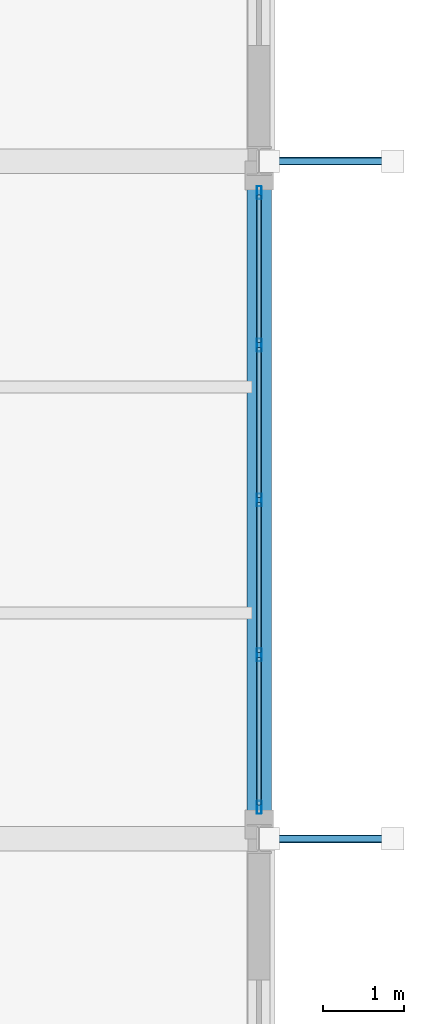
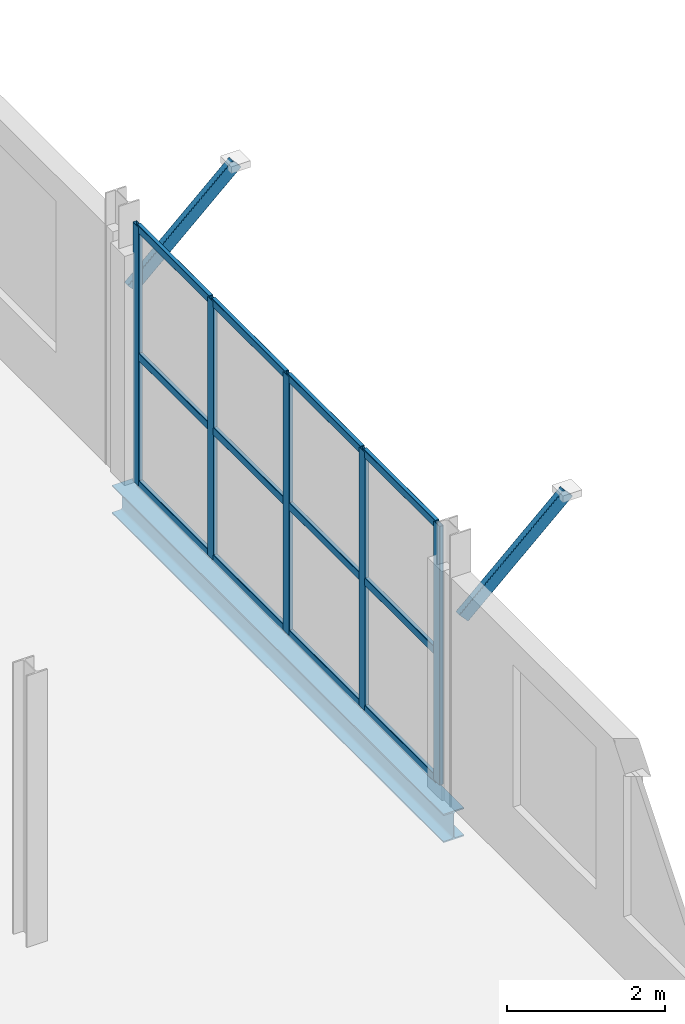
# One storey, part 13 of 25: 19 members, 1 beam, 1 element without a shape of its own.
"""IFC4 building model written with IfcOpenShell, lengths in metres."""

import ifcopenshell
import ifcopenshell.guid

model = None  # the IFC model being written
_history = None  # IfcOwnerHistory: only IFC2X3 demands one
_inside = {}  # id of a spatial element -> (the spatial element, [elements in it])
_under = {}  # id of a project, library or spatial element -> (it, [spatial elements below it])
_declared = {}  # id of a project -> (the project, [libraries it declares])
_typed = {}  # id of a type object -> (the type object, [elements of that type])
_made_of = {}  # id of a material, layer set ... -> (it, [elements and type objects made of it])


def new_model(schema):
    """Start an empty IFC model of exactly this schema.

    Asked for "IFC4X3", IfcOpenShell would pick the latest addendum, in which some entities
    have other attributes; the version numbers below select the first issue.
    IFC2X3 requires an IfcOwnerHistory on every rooted entity: one is made here for all.
    """
    global model, _history
    if schema == "IFC4X3":
        model = ifcopenshell.file(schema_version=(4, 3, 0, 0))
    else:
        model = ifcopenshell.file(schema=schema)
    _inside.clear()
    _under.clear()
    _declared.clear()
    _typed.clear()
    _made_of.clear()
    _history = None
    if model.schema == "IFC2X3":
        org = make("IfcOrganization", Name="unknown")
        user = make(
            "IfcPersonAndOrganization",
            ThePerson=make("IfcPerson", FamilyName="unknown"),
            TheOrganization=org,
        )
        app = make(
            "IfcApplication",
            ApplicationDeveloper=org,
            Version="unknown",
            ApplicationFullName="unknown",
            ApplicationIdentifier="unknown",
        )
        _history = make(
            "IfcOwnerHistory",
            OwningUser=user,
            OwningApplication=app,
            ChangeAction="ADDED",
            CreationDate=0,
        )
    return model


def make(cls, **values):
    """One entity of the class cls with the attributes given. An attribute that is None is left unset."""
    return model.create_entity(
        cls, **{name: value for name, value in values.items() if value is not None}
    )


def rooted(cls, **values):
    """An entity with a GlobalId (a new one), such as an element, a storey or a relation."""
    return make(cls, GlobalId=ifcopenshell.guid.new(), OwnerHistory=_history, **values)


def si_unit(unit_type, name, prefix=None):
    """IfcSIUnit, for example si_unit("LENGTHUNIT", "METRE", prefix="MILLI")."""
    return make("IfcSIUnit", UnitType=unit_type, Prefix=prefix, Name=name)


def assignment(units):
    """IfcUnitAssignment: the units of a project."""
    return None if units is None else make("IfcUnitAssignment", Units=units)


def point(xyz):
    """IfcCartesianPoint."""
    return None if xyz is None else make("IfcCartesianPoint", Coordinates=xyz)


def direction(xyz):
    """IfcDirection."""
    return None if xyz is None else make("IfcDirection", DirectionRatios=xyz)


def frame(location, z_axis=None, x_axis=None):
    """IfcAxis2Placement3D, a coordinate frame: its origin and axes. An axis left out is left unset."""
    return make(
        "IfcAxis2Placement3D",
        Location=point(location),
        Axis=direction(z_axis),
        RefDirection=direction(x_axis),
    )


def frame_2d(location, x_axis=None):
    """IfcAxis2Placement2D, a coordinate frame in the plane: its origin and x axis."""
    return make(
        "IfcAxis2Placement2D", Location=point(location), RefDirection=direction(x_axis)
    )


def origin():
    """The frame at (0, 0, 0) with its axes left unset."""
    return frame((0.0, 0.0, 0.0))


def origin_2d():
    """The frame at (0, 0) in the plane with its x axis left unset."""
    return frame_2d((0.0, 0.0))


def place(relative_to, where):
    """IfcLocalPlacement: puts the frame where relative to a parent placement (None: the world)."""
    return make(
        "IfcLocalPlacement", PlacementRelTo=relative_to, RelativePlacement=where
    )


def context(
    kind, dimensions, precision=None, world=None, true_north=None, identifier=None
):
    """IfcGeometricRepresentationContext, for example the 3D "Model" context."""
    return make(
        "IfcGeometricRepresentationContext",
        ContextIdentifier=identifier,
        ContextType=kind,
        CoordinateSpaceDimension=dimensions,
        Precision=precision,
        WorldCoordinateSystem=world,
        TrueNorth=true_north,
    )


def subcontext(parent, identifier, kind, view, scale=None):
    """IfcGeometricRepresentationSubContext, for example "Body" below "Model"."""
    return make(
        "IfcGeometricRepresentationSubContext",
        ContextIdentifier=identifier,
        ContextType=kind,
        ParentContext=parent,
        TargetScale=scale,
        TargetView=view,
    )


def project(units=None, contexts=None):
    """IfcProject with its units and contexts."""
    return rooted(
        "IfcProject",
        Name="project",
        RepresentationContexts=contexts,
        UnitsInContext=assignment(units),
    )


def spatial(cls, under=None, at=None, **own):
    """A site, building, storey or space (cls), placed at a placement, below another one or the project."""
    s = rooted(cls, ObjectPlacement=at, **own)
    if under is not None:
        _under.setdefault(under.id(), (under, []))[1].append(s)
    return s


def profile(cls, at=None, kind="AREA", **sizes):
    """A parametric profile (cls). Its sizes go by their IFC names, for example OverallWidth=200.0."""
    return make(cls, ProfileType=kind, Position=at, **sizes)


def hollow_rectangle(**sizes):
    """IfcRectangleHollowProfileDef."""
    return profile("IfcRectangleHollowProfileDef", **sizes)


def i_section(**sizes):
    """IfcIShapeProfileDef."""
    return profile("IfcIShapeProfileDef", **sizes)


def extrude(swept, where, along, depth):
    """IfcExtrudedAreaSolid: the profile swept, set in the frame where, extruded along a direction by depth."""
    return make(
        "IfcExtrudedAreaSolid",
        SweptArea=swept,
        Position=where,
        ExtrudedDirection=direction(along),
        Depth=depth,
    )


def shape(context_of_items, identifier, shape_type, items):
    """IfcShapeRepresentation: the items that make up one representation, for example the "Body"."""
    return make(
        "IfcShapeRepresentation",
        ContextOfItems=context_of_items,
        RepresentationIdentifier=identifier,
        RepresentationType=shape_type,
        Items=items,
    )


def material(Name=None, Category=None):
    """IfcMaterial."""
    return make("IfcMaterial", Name=Name, Category=Category)


def layer(
    of_material, thickness, ventilated=None, Name=None, Category=None, Priority=None
):
    """IfcMaterialLayer: one layer of a wall or slab, of a material (None: an air gap)."""
    return make(
        "IfcMaterialLayer",
        Material=of_material,
        LayerThickness=thickness,
        IsVentilated=ventilated,
        Name=Name,
        Category=Category,
        Priority=Priority,
    )


def layer_set(layers, Name=None):
    """IfcMaterialLayerSet."""
    return make("IfcMaterialLayerSet", MaterialLayers=layers, LayerSetName=Name)


def material_profile(
    of_material, cross_section, Name=None, Category=None, Priority=None
):
    """IfcMaterialProfile: a cross section and its material."""
    return make(
        "IfcMaterialProfile",
        Name=Name,
        Material=of_material,
        Profile=cross_section,
        Priority=Priority,
        Category=Category,
    )


def profile_set(profiles, Name=None, composite=None):
    """IfcMaterialProfileSet."""
    return make(
        "IfcMaterialProfileSet",
        Name=Name,
        MaterialProfiles=profiles,
        CompositeProfile=composite,
    )


def made_of(thing, what):
    """Note that an element or type object is made of a material, layer set ...; save() writes the relation."""
    if what is not None:
        _made_of.setdefault(what.id(), (what, []))[1].append(thing)
    return thing


def type_object(cls, material=None, **own):
    """A type object (cls), such as IfcWallType, which elements share."""
    return made_of(rooted(cls, **own), material)


def element(
    cls,
    number,
    at=None,
    inside=None,
    cuts=None,
    type_object=None,
    material=None,
    context=None,
    identifier="Body",
    shape_type=None,
    held_by="IfcProductDefinitionShape",
    body=None,
    shapes=None,
    **own,
):
    """One element of the class cls, such as IfcWall. Its Tag is "e" and its number.

    at: its placement. inside: the storey or other place that contains it. cuts: it is an
    opening in that element (IfcRelVoidsElement). A single representation is given by context,
    identifier, shape_type and body (its items); several are given by shapes. held_by: the class
    of the entity that holds the representations. save() writes the other relations.
    """
    e = rooted(cls, Tag="e%d" % number, ObjectPlacement=at, **own)
    if body is not None:
        shapes = [shape(context, identifier, shape_type, body)]
    if shapes is not None:
        e.Representation = make(held_by, Representations=shapes)
    if inside is not None:
        _inside.setdefault(inside.id(), (inside, []))[1].append(e)
    if cuts is not None:
        rooted(
            "IfcRelVoidsElement", RelatingBuildingElement=cuts, RelatedOpeningElement=e
        )
    if type_object is not None:
        _typed.setdefault(type_object.id(), (type_object, []))[1].append(e)
    return made_of(e, material)


def aggregate(whole, parts):
    """IfcRelAggregates: a whole, such as a stair, and the parts it consists of."""
    return rooted("IfcRelAggregates", RelatingObject=whole, RelatedObjects=parts)


def save(model, path):
    """Write the relations noted so far, then the file.

    IfcRelAggregates (storeys below a building ...), IfcRelContainedInSpatialStructure (elements
    in a storey), IfcRelDefinesByType, IfcRelAssociatesMaterial and IfcRelDeclares: one each for
    every whole, place, type object, material and project.
    """
    for whole, parts in _under.values():
        aggregate(whole, parts)
    for where, things in _inside.values():
        rooted(
            "IfcRelContainedInSpatialStructure",
            RelatedElements=things,
            RelatingStructure=where,
        )
    for kind, things in _typed.values():
        rooted("IfcRelDefinesByType", RelatedObjects=things, RelatingType=kind)
    for what, things in _made_of.values():
        rooted("IfcRelAssociatesMaterial", RelatedObjects=things, RelatingMaterial=what)
    for by, libraries in _declared.values():
        rooted("IfcRelDeclares", RelatingContext=by, RelatedDefinitions=libraries)
    model.write(path)


model = new_model("IFC4")

# Units and contexts
model_context = context("Model", 3, precision=1e-05, world=origin(), true_north=direction((0.0, 1.0)))
body_context = subcontext(model_context, "Body", "Model", "MODEL_VIEW")
ifc_project = project(units=[si_unit("LENGTHUNIT", "METRE"), si_unit("AREAUNIT", "SQUARE_METRE"), si_unit("VOLUMEUNIT", "CUBIC_METRE"), si_unit("PLANEANGLEUNIT", "RADIAN"), si_unit("MASSUNIT", "GRAM", prefix="KILO")], contexts=[model_context])

# Site, building, storey
site_placement = place(None, origin())
site = spatial("IfcSite", under=ifc_project, at=site_placement, CompositionType="ELEMENT")
building_placement = place(site_placement, origin())
building = spatial("IfcBuilding", under=site, at=building_placement, Name="Vekula Escarpment Museum", CompositionType="ELEMENT")
storey_placement = place(building_placement, frame((0.0, 0.0, 26.39990234375)))
storey = spatial("IfcBuildingStorey", under=building, at=storey_placement, Name="L06", CompositionType="ELEMENT", Elevation=26.39990234375)

# Beam
ifc_material_1 = material(Name="Steel S355", Category="steel")
ifc_material_profile_1 = material_profile(ifc_material_1, i_section(OverallWidth=0.300048828125, OverallDepth=0.43994140625, WebThickness=0.011474609375, FlangeThickness=0.02099609375, FilletRadius=0.027099609375, at=origin_2d()), Name="HEA 450")
ifc_profile_set_1 = profile_set([ifc_material_profile_1], Name="Steel S355")
beam_type = type_object("IfcBeamType", Name="BM-SPAN-HEA450", PredefinedType="SPANDREL", material=ifc_profile_set_1)
beam_placement = place(storey_placement, frame((198.0, 68.0, -0.43994140625), z_axis=(0.0, 1.0, 0.0), x_axis=(-1.0, 0.0, 0.0)))
element("IfcBeam", 1, at=beam_placement, inside=storey, type_object=beam_type, Name="Beam Y L06 2295", PredefinedType="SPANDREL", context=body_context, shape_type="SweptSolid", body=[
    extrude(i_section(OverallWidth=0.300048828125, OverallDepth=0.43994140625, WebThickness=0.011474609375, FlangeThickness=0.02099609375, FilletRadius=0.027099609375, at=origin_2d()), origin(), (0.0, 0.0, 1.0), 8.39990234375),
])

# Curtain wall, members
ifc_material_2 = material(Name="Aluminium thermally broken framing", Category="aluminium")
ifc_layer = layer(ifc_material_2, 0.14990234375)
ifc_layer_set = layer_set([ifc_layer], Name="Aluminium thermally broken framing")
curtain_wall_type = type_object("IfcCurtainWallType", Name="CW-SYS-09", PredefinedType="NOTDEFINED", material=ifc_layer_set)
curtain_wall_placement = place(storey_placement, origin())
curtain_wall = element("IfcCurtainWall", 2, at=curtain_wall_placement, inside=storey, type_object=curtain_wall_type, Name="Curtain Wall CW-L06-189", PredefinedType="NOTDEFINED")
ifc_material_3 = material(Name="Aluminium anodized mullion", Category="aluminium")
ifc_material_profile_2 = material_profile(ifc_material_3, hollow_rectangle(XDim=0.06005859375, YDim=0.159912109375, WallThickness=0.00390625, InnerFilletRadius=0.00390625, OuterFilletRadius=0.008056640625, at=origin_2d()), Name="ALU 160x60x4")
ifc_profile_set_2 = profile_set([ifc_material_profile_2], Name="Aluminium anodized mullion")
member_type_1 = type_object("IfcMemberType", Name="CW-MUL-160", PredefinedType="MULLION", material=ifc_profile_set_2)
member_1_placement = place(storey_placement, frame((198.0, 68.389892578125, 0.0), z_axis=(0.0, 0.0, 1.0), x_axis=(-1.0, 0.0, 0.0)))
member_1 = element("IfcMember", 3, at=member_1_placement, type_object=member_type_1, Name="CW-09 mullion 1", PredefinedType="MULLION", context=body_context, shape_type="SweptSolid", body=[
    extrude(hollow_rectangle(XDim=0.06005859375, YDim=0.159912109375, WallThickness=0.00390625, InnerFilletRadius=0.00390625, OuterFilletRadius=0.008056640625, at=origin_2d()), origin(), (0.0, 0.0, 1.0), 4.0),
])
member_2_placement = place(storey_placement, frame((198.0, 70.280029296875, 0.0), z_axis=(0.0, 0.0, 1.0), x_axis=(-1.0, 0.0, 0.0)))
member_2 = element("IfcMember", 4, at=member_2_placement, type_object=member_type_1, Name="CW-09 mullion 2", PredefinedType="MULLION", context=body_context, shape_type="SweptSolid", body=[
    extrude(hollow_rectangle(XDim=0.06005859375, YDim=0.159912109375, WallThickness=0.00390625, InnerFilletRadius=0.00390625, OuterFilletRadius=0.008056640625, at=origin_2d()), origin(), (0.0, 0.0, 1.0), 4.0),
])
member_3_placement = place(storey_placement, frame((198.0, 72.199951171875, 0.0), z_axis=(0.0, 0.0, 1.0), x_axis=(-1.0, 0.0, 0.0)))
member_3 = element("IfcMember", 5, at=member_3_placement, type_object=member_type_1, Name="CW-09 mullion 3", PredefinedType="MULLION", context=body_context, shape_type="SweptSolid", body=[
    extrude(hollow_rectangle(XDim=0.06005859375, YDim=0.159912109375, WallThickness=0.00390625, InnerFilletRadius=0.00390625, OuterFilletRadius=0.008056640625, at=origin_2d()), origin(), (0.0, 0.0, 1.0), 4.0),
])
member_4_placement = place(storey_placement, frame((198.0, 74.1201171875, 0.0), z_axis=(0.0, 0.0, 1.0), x_axis=(-1.0, 0.0, 0.0)))
member_4 = element("IfcMember", 6, at=member_4_placement, type_object=member_type_1, Name="CW-09 mullion 4", PredefinedType="MULLION", context=body_context, shape_type="SweptSolid", body=[
    extrude(hollow_rectangle(XDim=0.06005859375, YDim=0.159912109375, WallThickness=0.00390625, InnerFilletRadius=0.00390625, OuterFilletRadius=0.008056640625, at=origin_2d()), origin(), (0.0, 0.0, 1.0), 4.0),
])
member_5_placement = place(storey_placement, frame((198.0, 76.010009765625, 0.0), z_axis=(0.0, 0.0, 1.0), x_axis=(-1.0, 0.0, 0.0)))
member_5 = element("IfcMember", 7, at=member_5_placement, type_object=member_type_1, Name="CW-09 mullion 5", PredefinedType="MULLION", context=body_context, shape_type="SweptSolid", body=[
    extrude(hollow_rectangle(XDim=0.06005859375, YDim=0.159912109375, WallThickness=0.00390625, InnerFilletRadius=0.00390625, OuterFilletRadius=0.008056640625, at=origin_2d()), origin(), (0.0, 0.0, 1.0), 4.0),
])
ifc_material_4 = material(Name="Aluminium anodized transom", Category="aluminium")
ifc_material_profile_3 = material_profile(ifc_material_4, hollow_rectangle(XDim=0.06005859375, YDim=0.1201171875, WallThickness=0.00390625, InnerFilletRadius=0.00390625, OuterFilletRadius=0.008056640625, at=origin_2d()), Name="ALU 120x60x4")
ifc_profile_set_3 = profile_set([ifc_material_profile_3], Name="Aluminium anodized transom")
member_type_2 = type_object("IfcMemberType", Name="CW-TRN-120", PredefinedType="USERDEFINED", material=ifc_profile_set_3)
member_6_placement = place(storey_placement, frame((198.0, 68.419921875, 0.030029296875), z_axis=(0.0, 1.0, 0.0), x_axis=(-1.0, 0.0, 0.0)))
member_6 = element("IfcMember", 8, at=member_6_placement, type_object=member_type_2, Name="CW-09 transom 1.1", ObjectType="TRANSOM", PredefinedType="USERDEFINED", context=body_context, shape_type="SweptSolid", body=[
    extrude(hollow_rectangle(XDim=0.06005859375, YDim=0.1201171875, WallThickness=0.00390625, InnerFilletRadius=0.00390625, OuterFilletRadius=0.008056640625, at=origin_2d()), origin(), (0.0, 0.0, 1.0), 1.830078125),
])
member_7_placement = place(storey_placement, frame((198.0, 68.419921875, 2.0), z_axis=(0.0, 1.0, 0.0), x_axis=(-1.0, 0.0, 0.0)))
member_7 = element("IfcMember", 9, at=member_7_placement, type_object=member_type_2, Name="CW-09 transom 1.2", ObjectType="TRANSOM", PredefinedType="USERDEFINED", context=body_context, shape_type="SweptSolid", body=[
    extrude(hollow_rectangle(XDim=0.06005859375, YDim=0.1201171875, WallThickness=0.00390625, InnerFilletRadius=0.00390625, OuterFilletRadius=0.008056640625, at=origin_2d()), origin(), (0.0, 0.0, 1.0), 1.830078125),
])
member_8_placement = place(storey_placement, frame((198.0, 68.419921875, 3.97021484375), z_axis=(0.0, 1.0, 0.0), x_axis=(-1.0, 0.0, 0.0)))
member_8 = element("IfcMember", 10, at=member_8_placement, type_object=member_type_2, Name="CW-09 transom 1.3", ObjectType="TRANSOM", PredefinedType="USERDEFINED", context=body_context, shape_type="SweptSolid", body=[
    extrude(hollow_rectangle(XDim=0.06005859375, YDim=0.1201171875, WallThickness=0.00390625, InnerFilletRadius=0.00390625, OuterFilletRadius=0.008056640625, at=origin_2d()), origin(), (0.0, 0.0, 1.0), 1.830078125),
])
member_9_placement = place(storey_placement, frame((198.0, 70.31005859375, 0.030029296875), z_axis=(0.0, 1.0, 0.0), x_axis=(-1.0, 0.0, 0.0)))
member_9 = element("IfcMember", 11, at=member_9_placement, type_object=member_type_2, Name="CW-09 transom 2.1", ObjectType="TRANSOM", PredefinedType="USERDEFINED", context=body_context, shape_type="SweptSolid", body=[
    extrude(hollow_rectangle(XDim=0.06005859375, YDim=0.1201171875, WallThickness=0.00390625, InnerFilletRadius=0.00390625, OuterFilletRadius=0.008056640625, at=origin_2d()), origin(), (0.0, 0.0, 1.0), 1.85986328125),
])
member_10_placement = place(storey_placement, frame((198.0, 70.31005859375, 2.0), z_axis=(0.0, 1.0, 0.0), x_axis=(-1.0, 0.0, 0.0)))
member_10 = element("IfcMember", 12, at=member_10_placement, type_object=member_type_2, Name="CW-09 transom 2.2", ObjectType="TRANSOM", PredefinedType="USERDEFINED", context=body_context, shape_type="SweptSolid", body=[
    extrude(hollow_rectangle(XDim=0.06005859375, YDim=0.1201171875, WallThickness=0.00390625, InnerFilletRadius=0.00390625, OuterFilletRadius=0.008056640625, at=origin_2d()), origin(), (0.0, 0.0, 1.0), 1.85986328125),
])
member_11_placement = place(storey_placement, frame((198.0, 70.31005859375, 3.97021484375), z_axis=(0.0, 1.0, 0.0), x_axis=(-1.0, 0.0, 0.0)))
member_11 = element("IfcMember", 13, at=member_11_placement, type_object=member_type_2, Name="CW-09 transom 2.3", ObjectType="TRANSOM", PredefinedType="USERDEFINED", context=body_context, shape_type="SweptSolid", body=[
    extrude(hollow_rectangle(XDim=0.06005859375, YDim=0.1201171875, WallThickness=0.00390625, InnerFilletRadius=0.00390625, OuterFilletRadius=0.008056640625, at=origin_2d()), origin(), (0.0, 0.0, 1.0), 1.85986328125),
])
member_12_placement = place(storey_placement, frame((198.0, 72.22998046875, 0.030029296875), z_axis=(0.0, 1.0, 0.0), x_axis=(-1.0, 0.0, 0.0)))
member_12 = element("IfcMember", 14, at=member_12_placement, type_object=member_type_2, Name="CW-09 transom 3.1", ObjectType="TRANSOM", PredefinedType="USERDEFINED", context=body_context, shape_type="SweptSolid", body=[
    extrude(hollow_rectangle(XDim=0.06005859375, YDim=0.1201171875, WallThickness=0.00390625, InnerFilletRadius=0.00390625, OuterFilletRadius=0.008056640625, at=origin_2d()), origin(), (0.0, 0.0, 1.0), 1.860107421875),
])
member_13_placement = place(storey_placement, frame((198.0, 72.22998046875, 2.0), z_axis=(0.0, 1.0, 0.0), x_axis=(-1.0, 0.0, 0.0)))
member_13 = element("IfcMember", 15, at=member_13_placement, type_object=member_type_2, Name="CW-09 transom 3.2", ObjectType="TRANSOM", PredefinedType="USERDEFINED", context=body_context, shape_type="SweptSolid", body=[
    extrude(hollow_rectangle(XDim=0.06005859375, YDim=0.1201171875, WallThickness=0.00390625, InnerFilletRadius=0.00390625, OuterFilletRadius=0.008056640625, at=origin_2d()), origin(), (0.0, 0.0, 1.0), 1.860107421875),
])
member_14_placement = place(storey_placement, frame((198.0, 72.22998046875, 3.97021484375), z_axis=(0.0, 1.0, 0.0), x_axis=(-1.0, 0.0, 0.0)))
member_14 = element("IfcMember", 16, at=member_14_placement, type_object=member_type_2, Name="CW-09 transom 3.3", ObjectType="TRANSOM", PredefinedType="USERDEFINED", context=body_context, shape_type="SweptSolid", body=[
    extrude(hollow_rectangle(XDim=0.06005859375, YDim=0.1201171875, WallThickness=0.00390625, InnerFilletRadius=0.00390625, OuterFilletRadius=0.008056640625, at=origin_2d()), origin(), (0.0, 0.0, 1.0), 1.860107421875),
])
member_15_placement = place(storey_placement, frame((198.0, 74.14990234375, 0.030029296875), z_axis=(0.0, 1.0, 0.0), x_axis=(-1.0, 0.0, 0.0)))
member_15 = element("IfcMember", 17, at=member_15_placement, type_object=member_type_2, Name="CW-09 transom 4.1", ObjectType="TRANSOM", PredefinedType="USERDEFINED", context=body_context, shape_type="SweptSolid", body=[
    extrude(hollow_rectangle(XDim=0.06005859375, YDim=0.1201171875, WallThickness=0.00390625, InnerFilletRadius=0.00390625, OuterFilletRadius=0.008056640625, at=origin_2d()), origin(), (0.0, 0.0, 1.0), 1.830078125),
])
member_16_placement = place(storey_placement, frame((198.0, 74.14990234375, 2.0), z_axis=(0.0, 1.0, 0.0), x_axis=(-1.0, 0.0, 0.0)))
member_16 = element("IfcMember", 18, at=member_16_placement, type_object=member_type_2, Name="CW-09 transom 4.2", ObjectType="TRANSOM", PredefinedType="USERDEFINED", context=body_context, shape_type="SweptSolid", body=[
    extrude(hollow_rectangle(XDim=0.06005859375, YDim=0.1201171875, WallThickness=0.00390625, InnerFilletRadius=0.00390625, OuterFilletRadius=0.008056640625, at=origin_2d()), origin(), (0.0, 0.0, 1.0), 1.830078125),
])
member_17_placement = place(storey_placement, frame((198.0, 74.14990234375, 3.97021484375), z_axis=(0.0, 1.0, 0.0), x_axis=(-1.0, 0.0, 0.0)))
member_17 = element("IfcMember", 19, at=member_17_placement, type_object=member_type_2, Name="CW-09 transom 4.3", ObjectType="TRANSOM", PredefinedType="USERDEFINED", context=body_context, shape_type="SweptSolid", body=[
    extrude(hollow_rectangle(XDim=0.06005859375, YDim=0.1201171875, WallThickness=0.00390625, InnerFilletRadius=0.00390625, OuterFilletRadius=0.008056640625, at=origin_2d()), origin(), (0.0, 0.0, 1.0), 1.830078125),
])
aggregate(curtain_wall, [member_1, member_2, member_3, member_4, member_5, member_6, member_7, member_8, member_9, member_10, member_11, member_12, member_13, member_14, member_15, member_16, member_17])

# Members
ifc_material_5 = material(Name="Steel S355", Category="steel")
ifc_material_profile_4 = material_profile(ifc_material_5, hollow_rectangle(XDim=0.10009765625, YDim=0.199951171875, WallThickness=0.008056640625, InnerFilletRadius=0.008056640625, OuterFilletRadius=0.01611328125, at=origin_2d()), Name="RHS 200x100x8")
ifc_profile_set_4 = profile_set([ifc_material_profile_4], Name="Steel S355")
member_type_3 = type_object("IfcMemberType", Name="MB-SACAK-BRK", PredefinedType="STRUT", material=ifc_profile_set_4)
for number, where, z_axis, x_axis, name in (
    (20, (198.1201171875, 68.0, 2.75), (0.737671918574, 0.0, 0.675159344561), (0.0, 1.0, 0.0), "Cumba Sacak Eave Bracket 0153"),
    (21, (198.1201171875, 76.39990234375, 2.75), (0.737671918574, 0.0, 0.675159344561), (0.0, 1.0, 0.0), "Cumba Sacak Eave Bracket 0155"),
):
    element("IfcMember", number, at=place(storey_placement, frame(where, z_axis=z_axis, x_axis=x_axis)), inside=storey, type_object=member_type_3, Name=name, PredefinedType="STRUT", context=body_context, shape_type="SweptSolid", body=[
        extrude(hollow_rectangle(XDim=0.10009765625, YDim=0.199951171875, WallThickness=0.008056640625, InnerFilletRadius=0.008056640625, OuterFilletRadius=0.01611328125, at=origin_2d()), origin(), (0.0, 0.0, 1.0), 2.07373046875),
    ])

save(model, "model.ifc")
